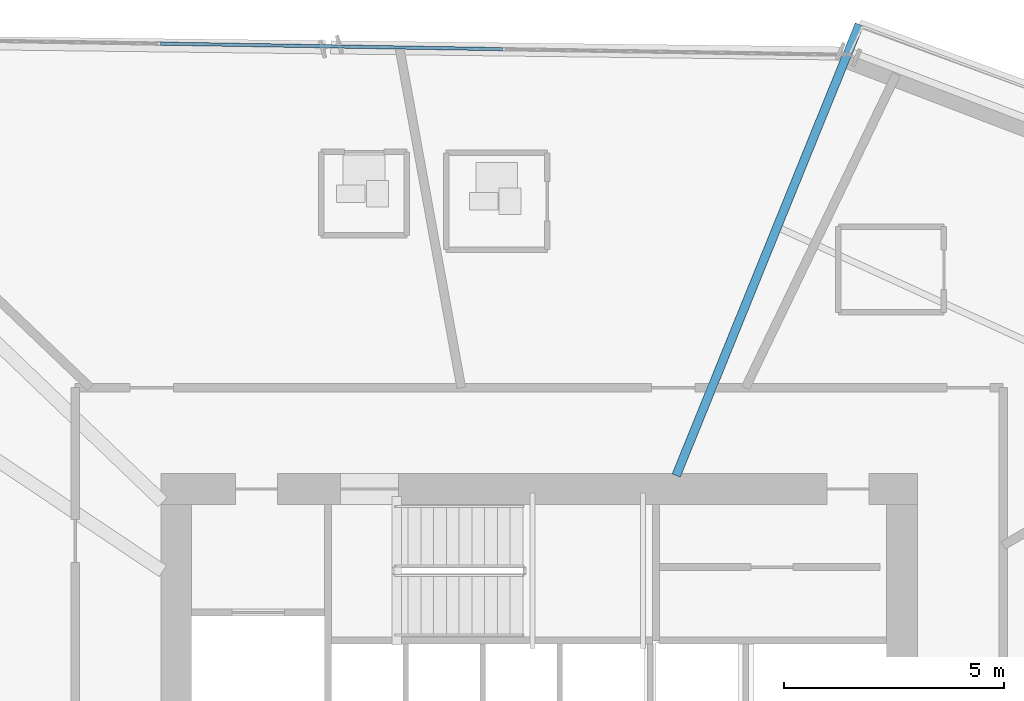
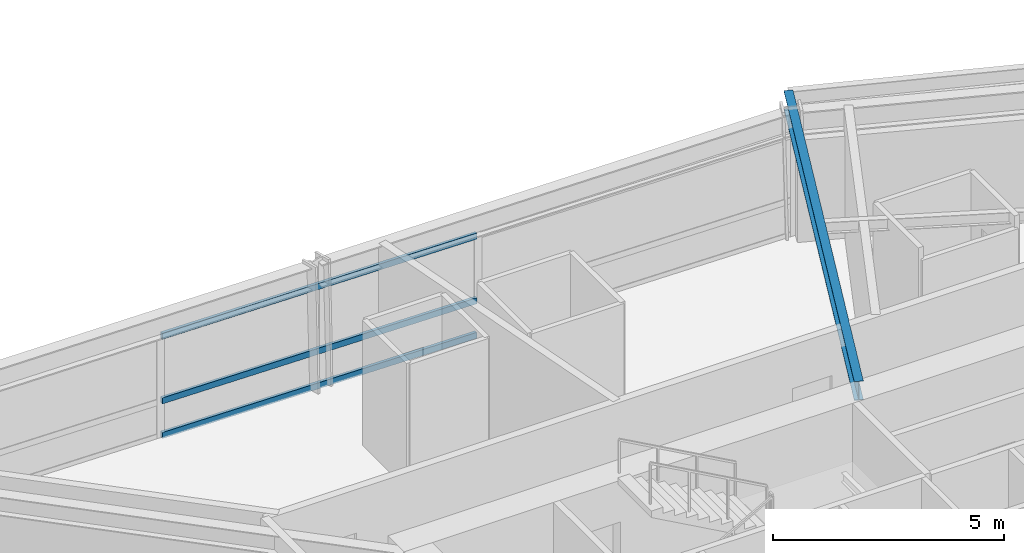
# One storey, part 7 of 22: 3 members, 1 beam, 1 element without a shape of its own.
"""IFC4 building model written with IfcOpenShell, lengths in metres."""

from ifc_helpers import new_model, si_unit, direction, frame, origin, origin_2d, place, context, subcontext, project, spatial, hollow_rectangle, i_section, extrude, source, transform, mapped, material, material_profile, profile_set, type_object, element, aggregate, save


model = new_model("IFC4")

# Units and contexts
model_context = context("Model", 3, precision=1e-05, world=origin(), true_north=direction((0.0, 1.0)))
body_context = subcontext(model_context, "Body", "Model", "MODEL_VIEW")
ifc_project = project(units=[si_unit("LENGTHUNIT", "METRE"), si_unit("AREAUNIT", "SQUARE_METRE"), si_unit("VOLUMEUNIT", "CUBIC_METRE"), si_unit("PLANEANGLEUNIT", "RADIAN"), si_unit("MASSUNIT", "GRAM", prefix="KILO")], contexts=[model_context])

# Site, building, storey
site_placement = place(None, origin())
site = spatial("IfcSite", under=ifc_project, at=site_placement, CompositionType="ELEMENT")
building_placement = place(site_placement, origin())
building = spatial("IfcBuilding", under=site, at=building_placement, Name="Olszyna Solenne Hotel", CompositionType="ELEMENT")
storey_placement = place(building_placement, frame((0.0, 0.0, 87.949951171875)))
storey = spatial("IfcBuildingStorey", under=building, at=storey_placement, Name="L22", CompositionType="ELEMENT", Elevation=87.949951171875)

# Beam
ifc_material_1 = material(Name="Steel S355J2", Category="steel")
ifc_material_profile_1 = material_profile(ifc_material_1, i_section(OverallWidth=0.199951171875, OverallDepth=0.5, WebThickness=0.01025390625, FlangeThickness=0.01611328125, at=origin_2d()), Name="IPE 500", Category="load-bearing")
ifc_profile_set_1 = profile_set([ifc_material_profile_1], Name="Steel S355J2")
beam_type = type_object("IfcBeamType", Name="BM-F3", PredefinedType="BEAM", material=ifc_profile_set_1)
shared_shape_1 = source(origin(), body_context, "Body", "SweptSolid", [
    extrude(i_section(OverallWidth=0.199951171875, OverallDepth=0.5, WebThickness=0.01025390625, FlangeThickness=0.01611328125, at=origin_2d()), origin(), (0.0, 0.0, 1.0), 11.068115234375),
])
beam_placement = place(storey_placement, frame((45.280029296875, 44.6083984375, 3.050048828125), z_axis=(-0.376242143829, -0.926521370076, 0.0), x_axis=(0.926521370076, -0.376242143829, 0.0)))
element("IfcBeam", 1, at=beam_placement, inside=storey, type_object=beam_type, Name="Radial floor girder BM-F3 B-L22-0676", PredefinedType="BEAM", context=body_context, shape_type="MappedRepresentation", body=[
    mapped(shared_shape_1, transform((0.0, 0.0, 0.0), x_axis=(1.0, 0.0, 0.0), y_axis=(0.0, 1.0, 0.0), z_axis=(0.0, 0.0, 1.0), scale=1.0)),
])

# Curtain wall, members
ifc_material_2 = material(Name="Anodised bronze aluminium", Category="aluminium")
curtain_wall_type = type_object("IfcCurtainWallType", Name="CW-SYS-3", PredefinedType="NOTDEFINED", material=ifc_material_2)
curtain_wall_placement = place(storey_placement, origin())
curtain_wall = element("IfcCurtainWall", 2, at=curtain_wall_placement, inside=storey, type_object=curtain_wall_type, Name="Unitised curtain wall CW-SYS-3 CW-L22-02", PredefinedType="NOTDEFINED")
ifc_material_profile_2 = material_profile(ifc_material_2, hollow_rectangle(XDim=0.074951171875, YDim=0.159912109375, WallThickness=0.00390625, at=origin_2d()), Name="TRAN 160x75x4", Category="load-bearing")
ifc_profile_set_2 = profile_set([ifc_material_profile_2], Name="Anodised bronze aluminium")
member_type = type_object("IfcMemberType", Name="CW-T1", PredefinedType="USERDEFINED", material=ifc_profile_set_2)
shared_shape_2 = source(origin(), body_context, "Body", "SweptSolid", [
    extrude(hollow_rectangle(XDim=0.074951171875, YDim=0.159912109375, WallThickness=0.00390625, at=origin_2d()), origin(), (0.0, 0.0, 1.0), 7.772705078125),
])
member_1_placement = place(storey_placement, frame((29.391845703125, 44.1748046875, 0.03759765625), z_axis=(0.999867118962, -0.016301669172, 0.0), x_axis=(0.016301669172, 0.999867118962, 0.0)))
member_1 = element("IfcMember", 3, at=member_1_placement, type_object=member_type, Name="Curtain-wall transom CW-T1 CT-L22-02-04", ObjectType="TRANSOM", PredefinedType="USERDEFINED", context=body_context, shape_type="MappedRepresentation", body=[
    mapped(shared_shape_2, transform((0.0, 0.0, 0.0), x_axis=(1.0, 0.0, 0.0), y_axis=(0.0, 1.0, 0.0), z_axis=(0.0, 0.0, 1.0), scale=1.0)),
])
member_2_placement = place(storey_placement, frame((29.391845703125, 44.1748046875, 0.949951171875), z_axis=(0.999867118962, -0.016301669172, 0.0), x_axis=(0.016301669172, 0.999867118962, 0.0)))
member_2 = element("IfcMember", 4, at=member_2_placement, type_object=member_type, Name="Curtain-wall transom CW-T1 CT-L22-02-05", ObjectType="TRANSOM", PredefinedType="USERDEFINED", context=body_context, shape_type="MappedRepresentation", body=[
    mapped(shared_shape_2, transform((0.0, 0.0, 0.0), x_axis=(1.0, 0.0, 0.0), y_axis=(0.0, 1.0, 0.0), z_axis=(0.0, 0.0, 1.0), scale=1.0)),
])
member_3_placement = place(storey_placement, frame((29.391845703125, 44.1748046875, 2.654541015625), z_axis=(0.999867118962, -0.016301669172, 0.0), x_axis=(0.016301669172, 0.999867118962, 0.0)))
member_3 = element("IfcMember", 5, at=member_3_placement, type_object=member_type, Name="Curtain-wall transom CW-T1 CT-L22-02-06", ObjectType="TRANSOM", PredefinedType="USERDEFINED", context=body_context, shape_type="MappedRepresentation", body=[
    mapped(shared_shape_2, transform((0.0, 0.0, 0.0), x_axis=(1.0, 0.0, 0.0), y_axis=(0.0, 1.0, 0.0), z_axis=(0.0, 0.0, 1.0), scale=1.0)),
])
aggregate(curtain_wall, [member_1, member_2, member_3])

save(model, "model.ifc")
